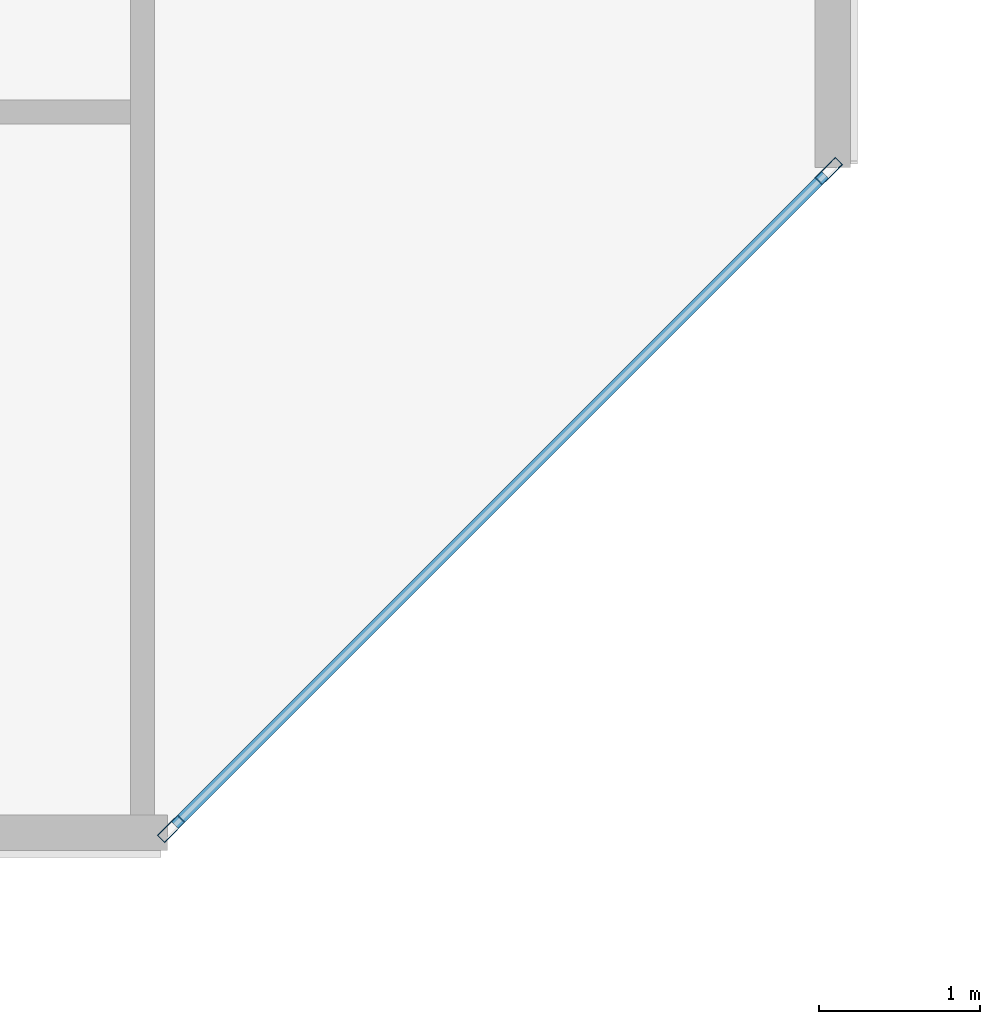
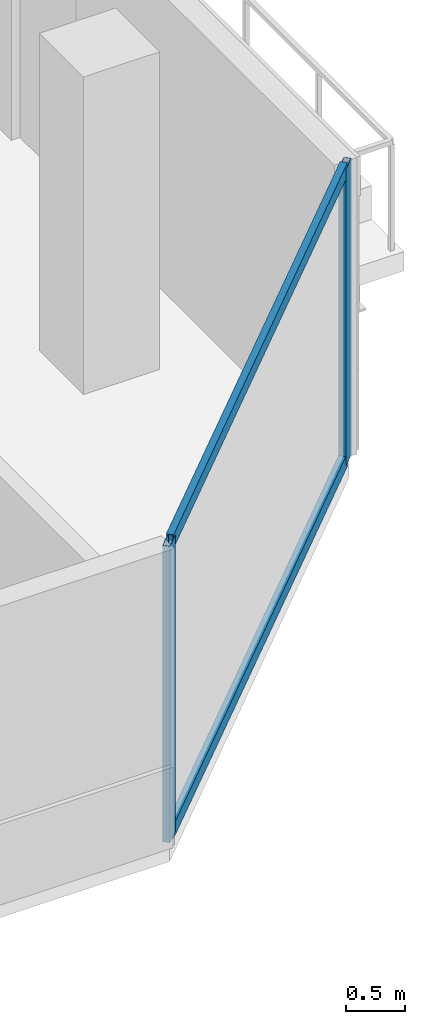
# One storey, part 14 of 28: 4 members, 1 element without a shape of its own.
"""IFC4 building model written with IfcOpenShell, lengths in metres."""

from ifc_helpers import new_model, si_unit, direction, frame, origin, origin_2d, place, context, subcontext, project, spatial, hollow_rectangle, extrude, material, layer, layer_set, material_profile, profile_set, type_object, element, aggregate, save


model = new_model("IFC4")

# Units and contexts
model_context = context("Model", 3, precision=1e-05, world=origin(), true_north=direction((0.0, 1.0)))
body_context = subcontext(model_context, "Body", "Model", "MODEL_VIEW")
ifc_project = project(units=[si_unit("LENGTHUNIT", "METRE"), si_unit("AREAUNIT", "SQUARE_METRE"), si_unit("VOLUMEUNIT", "CUBIC_METRE"), si_unit("PLANEANGLEUNIT", "RADIAN"), si_unit("MASSUNIT", "GRAM", prefix="KILO")], contexts=[model_context])

# Site, building, storey
site_placement = place(None, origin())
site = spatial("IfcSite", under=ifc_project, at=site_placement, CompositionType="ELEMENT")
building_placement = place(site_placement, origin())
building = spatial("IfcBuilding", under=site, at=building_placement, Name="Tanjung Sevakor Pilgrim Tower", CompositionType="ELEMENT")
storey_placement = place(building_placement, frame((0.0, 0.0, 222.75)))
storey = spatial("IfcBuildingStorey", under=building, at=storey_placement, Name="L62", CompositionType="ELEMENT", Elevation=222.75)

# Curtain wall, members
ifc_material_1 = material(Name="Aluminium 6063-T6 and Low-E Glass", Category="aluminium")
ifc_layer = layer(ifc_material_1, 0.179931640625)
ifc_layer_set = layer_set([ifc_layer], Name="CW-SYS-CHAM")
curtain_wall_type = type_object("IfcCurtainWallType", Name="CW-SYS-CHAM", PredefinedType="NOTDEFINED", material=ifc_layer_set)
curtain_wall_placement = place(storey_placement, origin())
curtain_wall = element("IfcCurtainWall", 1, at=curtain_wall_placement, inside=storey, type_object=curtain_wall_type, Name="L62 Curtain Wall CW-CHM-L62-MAIN-5", PredefinedType="NOTDEFINED")
ifc_material_2 = material(Name="Aluminium 6063-T6", Category="aluminium")
ifc_material_profile_1 = material_profile(ifc_material_2, hollow_rectangle(XDim=0.06494140625, YDim=0.179931640625, WallThickness=0.00390625, at=origin_2d()))
ifc_profile_set_1 = profile_set([ifc_material_profile_1], Name="Aluminium 6063-T6")
member_type_1 = type_object("IfcMemberType", Name="TYPE-CWM-1", PredefinedType="MULLION", material=ifc_profile_set_1)
member_1_placement = place(storey_placement, frame((95.37744140625, 12.182861328125, 0.0), z_axis=(0.0, 0.0, 1.0), x_axis=(-0.707106781187, 0.707106781187, 0.0)))
member_1 = element("IfcMember", 2, at=member_1_placement, type_object=member_type_1, Name="CW-CHM mullion 1", PredefinedType="MULLION", context=body_context, shape_type="SweptSolid", body=[
    extrude(hollow_rectangle(XDim=0.06494140625, YDim=0.179931640625, WallThickness=0.00390625, at=origin_2d()), origin(), (0.0, 0.0, 1.0), 3.080078125),
])
member_2_placement = place(storey_placement, frame((99.467041015625, 16.272705078125, 0.0), z_axis=(0.0, 0.0, 1.0), x_axis=(-0.707106781187, 0.707106781187, 0.0)))
member_2 = element("IfcMember", 3, at=member_2_placement, type_object=member_type_1, Name="CW-CHM mullion 2", PredefinedType="MULLION", context=body_context, shape_type="SweptSolid", body=[
    extrude(hollow_rectangle(XDim=0.06494140625, YDim=0.179931640625, WallThickness=0.00390625, at=origin_2d()), origin(), (0.0, 0.0, 1.0), 3.080078125),
])
ifc_material_3 = material(Name="Aluminium 6063-T6", Category="aluminium")
ifc_material_profile_2 = material_profile(ifc_material_3, hollow_rectangle(XDim=0.06494140625, YDim=0.139892578125, WallThickness=0.00390625, at=origin_2d()))
ifc_profile_set_2 = profile_set([ifc_material_profile_2], Name="Aluminium 6063-T6")
member_type_2 = type_object("IfcMemberType", Name="TYPE-CWT-1", PredefinedType="USERDEFINED", material=ifc_profile_set_2)
member_3_placement = place(storey_placement, frame((95.400390625, 12.2060546875, 0.032470703125), z_axis=(0.707106781187, 0.707106781187, 0.0), x_axis=(-0.707106781187, 0.707106781187, 0.0)))
member_3 = element("IfcMember", 4, at=member_3_placement, type_object=member_type_2, Name="CW-CHM transom 1.1", ObjectType="TRANSOM", PredefinedType="USERDEFINED", context=body_context, shape_type="SweptSolid", body=[
    extrude(hollow_rectangle(XDim=0.06494140625, YDim=0.139892578125, WallThickness=0.00390625, at=origin_2d()), origin(), (0.0, 0.0, 1.0), 5.71875),
])
member_4_placement = place(storey_placement, frame((95.400390625, 12.2060546875, 3.047607421875), z_axis=(0.707106781187, 0.707106781187, 0.0), x_axis=(-0.707106781187, 0.707106781187, 0.0)))
member_4 = element("IfcMember", 5, at=member_4_placement, type_object=member_type_2, Name="CW-CHM transom 1.2", ObjectType="TRANSOM", PredefinedType="USERDEFINED", context=body_context, shape_type="SweptSolid", body=[
    extrude(hollow_rectangle(XDim=0.06494140625, YDim=0.139892578125, WallThickness=0.00390625, at=origin_2d()), origin(), (0.0, 0.0, 1.0), 5.71875),
])
aggregate(curtain_wall, [member_1, member_2, member_3, member_4])

save(model, "model.ifc")
